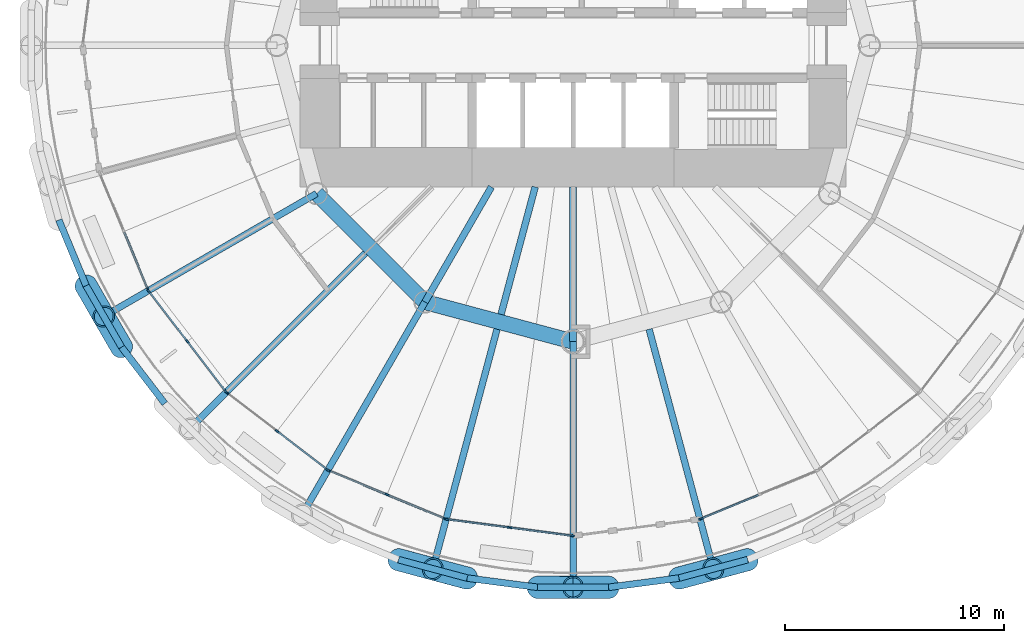
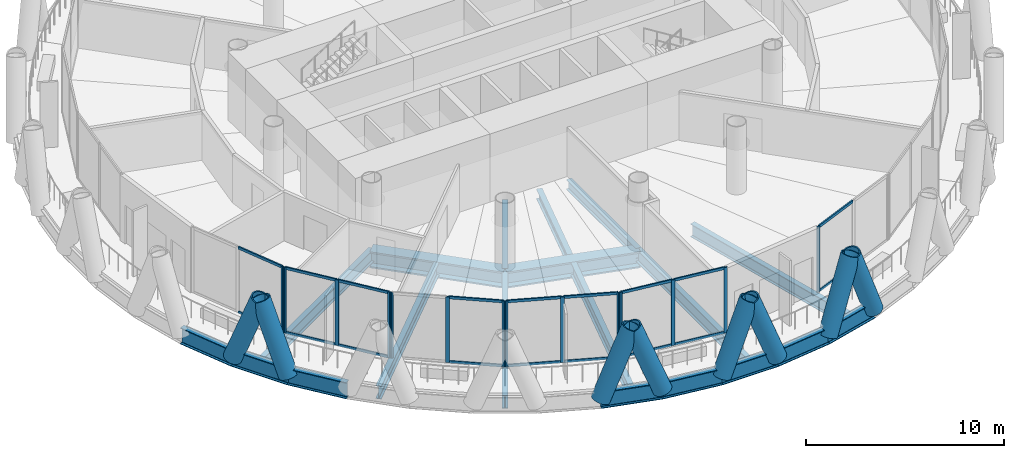
# One storey, part 2 of 15: 40 members, 19 beams, 6 elements without a shape of their own.
"""IFC4 building model written with IfcOpenShell, lengths in metres."""

from ifc_helpers import new_model, si_unit, direction, frame, origin, origin_2d, place, context, subcontext, project, spatial, rectangle, hollow_circle, i_section, extrude, material, material_profile, profile_set, type_object, element, aggregate, save


model = new_model("IFC4")

# Units and contexts
model_context = context("Model", 3, precision=1e-05, world=origin(), true_north=direction((0.0, 1.0)))
body_context = subcontext(model_context, "Body", "Model", "MODEL_VIEW")
ifc_project = project(units=[si_unit("LENGTHUNIT", "METRE"), si_unit("AREAUNIT", "SQUARE_METRE"), si_unit("VOLUMEUNIT", "CUBIC_METRE"), si_unit("PLANEANGLEUNIT", "RADIAN"), si_unit("MASSUNIT", "GRAM", prefix="KILO")], contexts=[model_context])

# Site, building, storey
site_placement = place(None, origin())
site = spatial("IfcSite", under=ifc_project, at=site_placement, CompositionType="ELEMENT")
building_placement = place(site_placement, origin())
building = spatial("IfcBuilding", under=site, at=building_placement, Name="Qaws Media Tower", CompositionType="ELEMENT")
storey_placement = place(building_placement, frame((0.0, 0.0, 156.199951171875)))
storey = spatial("IfcBuildingStorey", under=building, at=storey_placement, Name="L35", CompositionType="ELEMENT", Elevation=156.199951171875)

# Curtain wall, member
ifc_material_1 = material(Name="Aluminium and clear glass", Category="aluminium")
curtain_wall_type = type_object("IfcCurtainWallType", Name="Unitised curtain wall CW-B", PredefinedType="NOTDEFINED", material=ifc_material_1)
curtain_wall_1_placement = place(storey_placement, origin())
curtain_wall_1 = element("IfcCurtainWall", 1, at=curtain_wall_1_placement, inside=storey, type_object=curtain_wall_type, Name="CWB curtain wall L35-14", PredefinedType="NOTDEFINED")
ifc_material_2 = material(Name="Aluminium mullion", Category="aluminium")
ifc_material_profile_1 = material_profile(ifc_material_2, rectangle(XDim=0.080078125, YDim=0.199951171875, at=origin_2d()), Name="80x200")
ifc_profile_set_1 = profile_set([ifc_material_profile_1], Name="Aluminium mullion")
member_type_1 = type_object("IfcMemberType", Name="Curtain wall mullion 80x200", PredefinedType="MULLION", material=ifc_profile_set_1)
member_1_placement = place(storey_placement, frame((40.62890625, 38.862060546875, 0.0), z_axis=(0.0, 0.0, 1.0), x_axis=(0.923879550772, 0.38268338828, 0.0)))
member_1 = element("IfcMember", 2, at=member_1_placement, type_object=member_type_1, Name="CWB mullion 3", PredefinedType="MULLION", context=body_context, shape_type="SweptSolid", body=[
    extrude(rectangle(XDim=0.080078125, YDim=0.199951171875, at=origin_2d()), origin(), (0.0, 0.0, 1.0), 4.0400390625),
])

# Curtain wall, members
curtain_wall_2_placement = place(storey_placement, origin())
curtain_wall_2 = element("IfcCurtainWall", 3, at=curtain_wall_2_placement, inside=storey, type_object=curtain_wall_type, Name="CWB curtain wall L35-15", PredefinedType="NOTDEFINED")
member_2_placement = place(storey_placement, frame((40.668701171875, 38.793212890625, 0.0), z_axis=(0.0, 0.0, 1.0), x_axis=(0.793353386074, 0.608761369344, 0.0)))
member_2 = element("IfcMember", 4, at=member_2_placement, type_object=member_type_1, Name="CWB mullion 1", PredefinedType="MULLION", context=body_context, shape_type="SweptSolid", body=[
    extrude(rectangle(XDim=0.080078125, YDim=0.199951171875, at=origin_2d()), origin(), (0.0, 0.0, 1.0), 4.0400390625),
])
member_3_placement = place(storey_placement, frame((42.420166015625, 36.510498046875, 0.0), z_axis=(0.0, 0.0, 1.0), x_axis=(0.793353386074, 0.608761369344, 0.0)))
member_3 = element("IfcMember", 5, at=member_3_placement, type_object=member_type_1, Name="CWB mullion 2", PredefinedType="MULLION", context=body_context, shape_type="SweptSolid", body=[
    extrude(rectangle(XDim=0.080078125, YDim=0.199951171875, at=origin_2d()), origin(), (0.0, 0.0, 1.0), 4.0400390625),
])
member_4_placement = place(storey_placement, frame((44.171875, 34.227783203125, 0.0), z_axis=(0.0, 0.0, 1.0), x_axis=(0.793353386074, 0.608761369344, 0.0)))
member_4 = element("IfcMember", 6, at=member_4_placement, type_object=member_type_1, Name="CWB mullion 3", PredefinedType="MULLION", context=body_context, shape_type="SweptSolid", body=[
    extrude(rectangle(XDim=0.080078125, YDim=0.199951171875, at=origin_2d()), origin(), (0.0, 0.0, 1.0), 4.0400390625),
])

curtain_wall_3_placement = place(storey_placement, origin())
curtain_wall_3 = element("IfcCurtainWall", 7, at=curtain_wall_3_placement, inside=storey, type_object=curtain_wall_type, Name="CWB curtain wall L35-16", PredefinedType="NOTDEFINED")
member_5_placement = place(storey_placement, frame((44.227783203125, 34.171875, 0.0), z_axis=(0.0, 0.0, 1.0), x_axis=(0.608761369344, 0.793353386074, 0.0)))
member_5 = element("IfcMember", 8, at=member_5_placement, type_object=member_type_1, Name="CWB mullion 1", PredefinedType="MULLION", context=body_context, shape_type="SweptSolid", body=[
    extrude(rectangle(XDim=0.080078125, YDim=0.199951171875, at=origin_2d()), origin(), (0.0, 0.0, 1.0), 4.0400390625),
])
member_6_placement = place(storey_placement, frame((46.510498046875, 32.420166015625, 0.0), z_axis=(0.0, 0.0, 1.0), x_axis=(0.608761369344, 0.793353386074, 0.0)))
member_6 = element("IfcMember", 9, at=member_6_placement, type_object=member_type_1, Name="CWB mullion 2", PredefinedType="MULLION", context=body_context, shape_type="SweptSolid", body=[
    extrude(rectangle(XDim=0.080078125, YDim=0.199951171875, at=origin_2d()), origin(), (0.0, 0.0, 1.0), 4.0400390625),
])
member_7_placement = place(storey_placement, frame((48.793212890625, 30.668701171875, 0.0), z_axis=(0.0, 0.0, 1.0), x_axis=(0.608761369344, 0.793353386074, 0.0)))
member_7 = element("IfcMember", 10, at=member_7_placement, type_object=member_type_1, Name="CWB mullion 3", PredefinedType="MULLION", context=body_context, shape_type="SweptSolid", body=[
    extrude(rectangle(XDim=0.080078125, YDim=0.199951171875, at=origin_2d()), origin(), (0.0, 0.0, 1.0), 4.0400390625),
])

curtain_wall_4_placement = place(storey_placement, origin())
curtain_wall_4 = element("IfcCurtainWall", 11, at=curtain_wall_4_placement, inside=storey, type_object=curtain_wall_type, Name="CWB curtain wall L35-17", PredefinedType="NOTDEFINED")
member_8_placement = place(storey_placement, frame((48.862060546875, 30.62890625, 0.0), z_axis=(0.0, 0.0, 1.0), x_axis=(0.38268338828, 0.923879550772, 0.0)))
member_8 = element("IfcMember", 12, at=member_8_placement, type_object=member_type_1, Name="CWB mullion 1", PredefinedType="MULLION", context=body_context, shape_type="SweptSolid", body=[
    extrude(rectangle(XDim=0.080078125, YDim=0.199951171875, at=origin_2d()), origin(), (0.0, 0.0, 1.0), 4.0400390625),
])
member_9_placement = place(storey_placement, frame((51.520263671875, 29.52783203125, 0.0), z_axis=(0.0, 0.0, 1.0), x_axis=(0.38268338828, 0.923879550772, 0.0)))
member_9 = element("IfcMember", 13, at=member_9_placement, type_object=member_type_1, Name="CWB mullion 2", PredefinedType="MULLION", context=body_context, shape_type="SweptSolid", body=[
    extrude(rectangle(XDim=0.080078125, YDim=0.199951171875, at=origin_2d()), origin(), (0.0, 0.0, 1.0), 4.0400390625),
])
member_10_placement = place(storey_placement, frame((54.178466796875, 28.4267578125, 0.0), z_axis=(0.0, 0.0, 1.0), x_axis=(0.38268338828, 0.923879550772, 0.0)))
member_10 = element("IfcMember", 14, at=member_10_placement, type_object=member_type_1, Name="CWB mullion 3", PredefinedType="MULLION", context=body_context, shape_type="SweptSolid", body=[
    extrude(rectangle(XDim=0.080078125, YDim=0.199951171875, at=origin_2d()), origin(), (0.0, 0.0, 1.0), 4.0400390625),
])

curtain_wall_5_placement = place(storey_placement, origin())
curtain_wall_5 = element("IfcCurtainWall", 15, at=curtain_wall_5_placement, inside=storey, type_object=curtain_wall_type, Name="CWB curtain wall L35-18", PredefinedType="NOTDEFINED")
member_11_placement = place(storey_placement, frame((54.255126953125, 28.40625, 0.0), z_axis=(0.0, 0.0, 1.0), x_axis=(0.130526221291, 0.991444857547, 0.0)))
member_11 = element("IfcMember", 16, at=member_11_placement, type_object=member_type_1, Name="CWB mullion 1", PredefinedType="MULLION", context=body_context, shape_type="SweptSolid", body=[
    extrude(rectangle(XDim=0.080078125, YDim=0.199951171875, at=origin_2d()), origin(), (0.0, 0.0, 1.0), 4.0400390625),
])
member_12_placement = place(storey_placement, frame((57.107666015625, 28.03076171875, 0.0), z_axis=(0.0, 0.0, 1.0), x_axis=(0.130526221291, 0.991444857547, 0.0)))
member_12 = element("IfcMember", 17, at=member_12_placement, type_object=member_type_1, Name="CWB mullion 2", PredefinedType="MULLION", context=body_context, shape_type="SweptSolid", body=[
    extrude(rectangle(XDim=0.080078125, YDim=0.199951171875, at=origin_2d()), origin(), (0.0, 0.0, 1.0), 4.0400390625),
])
member_13_placement = place(storey_placement, frame((59.96044921875, 27.6552734375, 0.0), z_axis=(0.0, 0.0, 1.0), x_axis=(0.130526221291, 0.991444857547, 0.0)))
member_13 = element("IfcMember", 18, at=member_13_placement, type_object=member_type_1, Name="CWB mullion 3", PredefinedType="MULLION", context=body_context, shape_type="SweptSolid", body=[
    extrude(rectangle(XDim=0.080078125, YDim=0.199951171875, at=origin_2d()), origin(), (0.0, 0.0, 1.0), 4.0400390625),
])

# Curtain wall, member
curtain_wall_6_placement = place(storey_placement, origin())
curtain_wall_6 = element("IfcCurtainWall", 19, at=curtain_wall_6_placement, inside=storey, type_object=curtain_wall_type, Name="CWB curtain wall L35-20", PredefinedType="NOTDEFINED")
member_14_placement = place(storey_placement, frame((65.821533203125, 28.4267578125, 0.0), z_axis=(0.0, 0.0, 1.0), x_axis=(-0.38268338828, 0.923879550772, 0.0)))
member_14 = element("IfcMember", 20, at=member_14_placement, type_object=member_type_1, Name="CWB mullion 1", PredefinedType="MULLION", context=body_context, shape_type="SweptSolid", body=[
    extrude(rectangle(XDim=0.080078125, YDim=0.199951171875, at=origin_2d()), origin(), (0.0, 0.0, 1.0), 4.0400390625),
])

# Member
ifc_material_3 = material(Name="Aluminium transom", Category="aluminium")
ifc_material_profile_2 = material_profile(ifc_material_3, rectangle(XDim=0.080078125, YDim=0.159912109375, at=origin_2d()), Name="80x160")
ifc_profile_set_2 = profile_set([ifc_material_profile_2], Name="Aluminium transom")
member_type_2 = type_object("IfcMemberType", Name="Curtain wall transom 80x160", PredefinedType="USERDEFINED", material=ifc_profile_set_2)
member_15_placement = place(storey_placement, frame((39.543212890625, 41.483154296875, 0.0400390625), z_axis=(0.382724364585, -0.923862576768, 0.0), x_axis=(0.923862576768, 0.382724364585, 0.0)))
member_15 = element("IfcMember", 21, at=member_15_placement, type_object=member_type_2, Name="CWB transom 2.1", ObjectType="TRANSOM", PredefinedType="USERDEFINED", context=body_context, shape_type="SweptSolid", body=[
    extrude(rectangle(XDim=0.080078125, YDim=0.159912109375, at=origin_2d()), origin(), (0.0, 0.0, 1.0), 2.797119140625),
])

member_16_placement = place(storey_placement, frame((39.543212890625, 41.483154296875, 4.0), z_axis=(0.382724364585, -0.923862576768, 0.0), x_axis=(0.923862576768, 0.382724364585, 0.0)))
member_16 = element("IfcMember", 22, at=member_16_placement, type_object=member_type_2, Name="CWB transom 2.2", ObjectType="TRANSOM", PredefinedType="USERDEFINED", context=body_context, shape_type="SweptSolid", body=[
    extrude(rectangle(XDim=0.080078125, YDim=0.159912109375, at=origin_2d()), origin(), (0.0, 0.0, 1.0), 2.797119140625),
])

aggregate(curtain_wall_1, [member_1, member_15, member_16])

member_17_placement = place(storey_placement, frame((40.693115234375, 38.761474609375, 0.0400390625), z_axis=(0.608761301523, -0.793353438114, 0.0), x_axis=(0.793353438114, 0.608761301523, 0.0)))
member_17 = element("IfcMember", 23, at=member_17_placement, type_object=member_type_2, Name="CWB transom 1.1", ObjectType="TRANSOM", PredefinedType="USERDEFINED", context=body_context, shape_type="SweptSolid", body=[
    extrude(rectangle(XDim=0.080078125, YDim=0.159912109375, at=origin_2d()), origin(), (0.0, 0.0, 1.0), 2.79736328125),
])

member_18_placement = place(storey_placement, frame((40.693115234375, 38.761474609375, 4.0), z_axis=(0.608761301523, -0.793353438114, 0.0), x_axis=(0.793353438114, 0.608761301523, 0.0)))
member_18 = element("IfcMember", 24, at=member_18_placement, type_object=member_type_2, Name="CWB transom 1.2", ObjectType="TRANSOM", PredefinedType="USERDEFINED", context=body_context, shape_type="SweptSolid", body=[
    extrude(rectangle(XDim=0.080078125, YDim=0.159912109375, at=origin_2d()), origin(), (0.0, 0.0, 1.0), 2.79736328125),
])

member_19_placement = place(storey_placement, frame((42.444580078125, 36.478759765625, 0.0400390625), z_axis=(0.608761301523, -0.793353438114, 0.0), x_axis=(0.793353438114, 0.608761301523, 0.0)))
member_19 = element("IfcMember", 25, at=member_19_placement, type_object=member_type_2, Name="CWB transom 2.1", ObjectType="TRANSOM", PredefinedType="USERDEFINED", context=body_context, shape_type="SweptSolid", body=[
    extrude(rectangle(XDim=0.080078125, YDim=0.159912109375, at=origin_2d()), origin(), (0.0, 0.0, 1.0), 2.79736328125),
])

member_20_placement = place(storey_placement, frame((42.444580078125, 36.478759765625, 4.0), z_axis=(0.608761301523, -0.793353438114, 0.0), x_axis=(0.793353438114, 0.608761301523, 0.0)))
member_20 = element("IfcMember", 26, at=member_20_placement, type_object=member_type_2, Name="CWB transom 2.2", ObjectType="TRANSOM", PredefinedType="USERDEFINED", context=body_context, shape_type="SweptSolid", body=[
    extrude(rectangle(XDim=0.080078125, YDim=0.159912109375, at=origin_2d()), origin(), (0.0, 0.0, 1.0), 2.79736328125),
])

aggregate(curtain_wall_2, [member_2, member_3, member_4, member_17, member_18, member_19, member_20])

member_21_placement = place(storey_placement, frame((46.542236328125, 32.39599609375, 0.0400390625), z_axis=(0.793353438114, -0.608761301523, 0.0), x_axis=(0.608761301523, 0.793353438114, 0.0)))
member_21 = element("IfcMember", 27, at=member_21_placement, type_object=member_type_2, Name="CWB transom 2.1", ObjectType="TRANSOM", PredefinedType="USERDEFINED", context=body_context, shape_type="SweptSolid", body=[
    extrude(rectangle(XDim=0.080078125, YDim=0.159912109375, at=origin_2d()), origin(), (0.0, 0.0, 1.0), 2.79736328125),
])

member_22_placement = place(storey_placement, frame((46.542236328125, 32.39599609375, 4.0), z_axis=(0.793353438114, -0.608761301523, 0.0), x_axis=(0.608761301523, 0.793353438114, 0.0)))
member_22 = element("IfcMember", 28, at=member_22_placement, type_object=member_type_2, Name="CWB transom 2.2", ObjectType="TRANSOM", PredefinedType="USERDEFINED", context=body_context, shape_type="SweptSolid", body=[
    extrude(rectangle(XDim=0.080078125, YDim=0.159912109375, at=origin_2d()), origin(), (0.0, 0.0, 1.0), 2.79736328125),
])

aggregate(curtain_wall_3, [member_5, member_6, member_7, member_21, member_22])

member_23_placement = place(storey_placement, frame((48.89892578125, 30.61376953125, 0.0400390625), z_axis=(0.923862576768, -0.382724364585, 0.0), x_axis=(0.382724364585, 0.923862576768, 0.0)))
member_23 = element("IfcMember", 29, at=member_23_placement, type_object=member_type_2, Name="CWB transom 1.1", ObjectType="TRANSOM", PredefinedType="USERDEFINED", context=body_context, shape_type="SweptSolid", body=[
    extrude(rectangle(XDim=0.080078125, YDim=0.159912109375, at=origin_2d()), origin(), (0.0, 0.0, 1.0), 2.797119140625),
])

member_24_placement = place(storey_placement, frame((48.89892578125, 30.61376953125, 4.0), z_axis=(0.923862576768, -0.382724364585, 0.0), x_axis=(0.382724364585, 0.923862576768, 0.0)))
member_24 = element("IfcMember", 30, at=member_24_placement, type_object=member_type_2, Name="CWB transom 1.2", ObjectType="TRANSOM", PredefinedType="USERDEFINED", context=body_context, shape_type="SweptSolid", body=[
    extrude(rectangle(XDim=0.080078125, YDim=0.159912109375, at=origin_2d()), origin(), (0.0, 0.0, 1.0), 2.797119140625),
])

member_25_placement = place(storey_placement, frame((51.55712890625, 29.5126953125, 0.0400390625), z_axis=(0.923875359869, -0.382693505859, 0.0), x_axis=(0.382693505859, 0.923875359869, 0.0)))
member_25 = element("IfcMember", 31, at=member_25_placement, type_object=member_type_2, Name="CWB transom 2.1", ObjectType="TRANSOM", PredefinedType="USERDEFINED", context=body_context, shape_type="SweptSolid", body=[
    extrude(rectangle(XDim=0.080078125, YDim=0.159912109375, at=origin_2d()), origin(), (0.0, 0.0, 1.0), 2.79736328125),
])

member_26_placement = place(storey_placement, frame((51.55712890625, 29.5126953125, 4.0), z_axis=(0.923875359869, -0.382693505859, 0.0), x_axis=(0.382693505859, 0.923875359869, 0.0)))
member_26 = element("IfcMember", 32, at=member_26_placement, type_object=member_type_2, Name="CWB transom 2.2", ObjectType="TRANSOM", PredefinedType="USERDEFINED", context=body_context, shape_type="SweptSolid", body=[
    extrude(rectangle(XDim=0.080078125, YDim=0.159912109375, at=origin_2d()), origin(), (0.0, 0.0, 1.0), 2.79736328125),
])

aggregate(curtain_wall_4, [member_8, member_9, member_10, member_23, member_24, member_25, member_26])

member_27_placement = place(storey_placement, frame((54.294677734375, 28.401123046875, 0.0400390625), z_axis=(0.991440030998, -0.130562877322, 0.0), x_axis=(0.130562877322, 0.991440030998, 0.0)))
member_27 = element("IfcMember", 33, at=member_27_placement, type_object=member_type_2, Name="CWB transom 1.1", ObjectType="TRANSOM", PredefinedType="USERDEFINED", context=body_context, shape_type="SweptSolid", body=[
    extrude(rectangle(XDim=0.080078125, YDim=0.159912109375, at=origin_2d()), origin(), (0.0, 0.0, 1.0), 2.79736328125),
])

member_28_placement = place(storey_placement, frame((54.294677734375, 28.401123046875, 4.0), z_axis=(0.991440030998, -0.130562877322, 0.0), x_axis=(0.130562877322, 0.991440030998, 0.0)))
member_28 = element("IfcMember", 34, at=member_28_placement, type_object=member_type_2, Name="CWB transom 1.2", ObjectType="TRANSOM", PredefinedType="USERDEFINED", context=body_context, shape_type="SweptSolid", body=[
    extrude(rectangle(XDim=0.080078125, YDim=0.159912109375, at=origin_2d()), origin(), (0.0, 0.0, 1.0), 2.79736328125),
])

member_29_placement = place(storey_placement, frame((57.1474609375, 28.025634765625, 0.0400390625), z_axis=(0.991438543063, -0.130574175581, 0.0), x_axis=(0.130574175581, 0.991438543063, 0.0)))
member_29 = element("IfcMember", 35, at=member_29_placement, type_object=member_type_2, Name="CWB transom 2.1", ObjectType="TRANSOM", PredefinedType="USERDEFINED", context=body_context, shape_type="SweptSolid", body=[
    extrude(rectangle(XDim=0.080078125, YDim=0.159912109375, at=origin_2d()), origin(), (0.0, 0.0, 1.0), 2.797119140625),
])

member_30_placement = place(storey_placement, frame((57.1474609375, 28.025634765625, 4.0), z_axis=(0.991438543063, -0.130574175581, 0.0), x_axis=(0.130574175581, 0.991438543063, 0.0)))
member_30 = element("IfcMember", 36, at=member_30_placement, type_object=member_type_2, Name="CWB transom 2.2", ObjectType="TRANSOM", PredefinedType="USERDEFINED", context=body_context, shape_type="SweptSolid", body=[
    extrude(rectangle(XDim=0.080078125, YDim=0.159912109375, at=origin_2d()), origin(), (0.0, 0.0, 1.0), 2.797119140625),
])

aggregate(curtain_wall_5, [member_11, member_12, member_13, member_27, member_28, member_29, member_30])

member_31_placement = place(storey_placement, frame((65.8583984375, 28.442138671875, 0.0400390625), z_axis=(0.923875359869, 0.382693505859, 0.0), x_axis=(-0.382693505859, 0.923875359869, 0.0)))
member_31 = element("IfcMember", 37, at=member_31_placement, type_object=member_type_2, Name="CWB transom 1.1", ObjectType="TRANSOM", PredefinedType="USERDEFINED", context=body_context, shape_type="SweptSolid", body=[
    extrude(rectangle(XDim=0.080078125, YDim=0.159912109375, at=origin_2d()), origin(), (0.0, 0.0, 1.0), 2.79736328125),
])

member_32_placement = place(storey_placement, frame((65.8583984375, 28.442138671875, 4.0), z_axis=(0.923875359869, 0.382693505859, 0.0), x_axis=(-0.382693505859, 0.923875359869, 0.0)))
member_32 = element("IfcMember", 38, at=member_32_placement, type_object=member_type_2, Name="CWB transom 1.2", ObjectType="TRANSOM", PredefinedType="USERDEFINED", context=body_context, shape_type="SweptSolid", body=[
    extrude(rectangle(XDim=0.080078125, YDim=0.159912109375, at=origin_2d()), origin(), (0.0, 0.0, 1.0), 2.79736328125),
])

aggregate(curtain_wall_6, [member_14, member_31, member_32])

# Members
ifc_material_4 = material(Name="Steel S460", Category="steel")
ifc_material_profile_3 = material_profile(ifc_material_4, hollow_circle(Radius=0.508056640625, WallThickness=0.070068359375, at=origin_2d()), Name="CHS 1016x70")
ifc_profile_set_3 = profile_set([ifc_material_profile_3], Name="Steel S460")
member_type_3 = type_object("IfcMemberType", Name="Diagrid member CHS 1016x70", PredefinedType="USERDEFINED", material=ifc_profile_set_3)
member_33_placement = place(storey_placement, frame((37.802490234375, 39.053466796875, -0.6640625), z_axis=(0.179199044088, -0.311808506192, 0.933093327628), x_axis=(0.867015441762, 0.498281269713, 0.0)))
element("IfcMember", 39, at=member_33_placement, inside=storey, type_object=member_type_3, Name="DG3 diagrid L35 A14", ObjectType="DIAGRID", PredefinedType="USERDEFINED", context=body_context, shape_type="SweptSolid", body=[
    extrude(hollow_circle(Radius=0.508056640625, WallThickness=0.070068359375, at=origin_2d()), origin(), (0.0, 0.0, 1.0), 4.50146484375),
])
for number, where, z_axis, x_axis, name in (
    (40, (39.421142578125, 36.249755859375, -0.6640625), (-0.180396215789, 0.311056012492, 0.933113799288), (-0.865050827672, -0.501684228917, 0.0), "DG3 diagrid L35 B15"),
    (41, (52.04443359375, 26.5634765625, -0.6640625), (0.347175437247, -0.093722723881, 0.933105174565), (0.260627895981, 0.965439329962, 0.0), "DG3 diagrid L35 A17"),
    (42, (58.38134765625, 25.302978515625, -0.6640625), (0.359596788515, -0.000650853916, 0.933107564045), (0.001809951786, 0.999998362036, 0.0), "DG3 diagrid L35 A18"),
):
    element("IfcMember", number, at=place(storey_placement, frame(where, z_axis=z_axis, x_axis=x_axis)), inside=storey, type_object=member_type_3, Name=name, ObjectType="DIAGRID", PredefinedType="USERDEFINED", context=body_context, shape_type="SweptSolid", body=[
        extrude(hollow_circle(Radius=0.508056640625, WallThickness=0.070068359375, at=origin_2d()), origin(), (0.0, 0.0, 1.0), 4.501220703125),
    ])
for number, where, z_axis, x_axis, name in (
    (43, (55.171630859375, 25.7255859375, -0.6640625), (-0.347551371871, 0.092420027726, 0.933095162556), (-0.256986741386, -0.966414928875, 0.0), "DG3 diagrid L35 B18"),
    (44, (64.828369140625, 25.7255859375, -0.6640625), (0.347551371871, 0.092420027726, 0.933095162556), (-0.256986741386, 0.966414928875, 0.0), "DG3 diagrid L35 A19"),
):
    element("IfcMember", number, at=place(storey_placement, frame(where, z_axis=z_axis, x_axis=x_axis)), inside=storey, type_object=member_type_3, Name=name, ObjectType="DIAGRID", PredefinedType="USERDEFINED", context=body_context, shape_type="SweptSolid", body=[
        extrude(hollow_circle(Radius=0.508056640625, WallThickness=0.070068359375, at=origin_2d()), origin(), (0.0, 0.0, 1.0), 4.50146484375),
    ])
for number, where, z_axis, x_axis, name in (
    (45, (61.61865234375, 25.302978515625, -0.6640625), (-0.359596788515, -0.000650853916, 0.933107564045), (0.001809951786, -0.999998362036, 0.0), "DG3 diagrid L35 B19"),
    (46, (67.95556640625, 26.5634765625, -0.6640625), (-0.347175437247, -0.093722723881, 0.933105174565), (0.260627895981, -0.965439329962, 0.0), "DG3 diagrid L35 B20"),
):
    element("IfcMember", number, at=place(storey_placement, frame(where, z_axis=z_axis, x_axis=x_axis)), inside=storey, type_object=member_type_3, Name=name, ObjectType="DIAGRID", PredefinedType="USERDEFINED", context=body_context, shape_type="SweptSolid", body=[
        extrude(hollow_circle(Radius=0.508056640625, WallThickness=0.070068359375, at=origin_2d()), origin(), (0.0, 0.0, 1.0), 4.501220703125),
    ])

# Beams
ifc_material_5 = material(Name="Steel S460", Category="steel")
ifc_material_profile_4 = material_profile(ifc_material_5, i_section(OverallWidth=0.302001953125, OverallDepth=1.008056640625, WebThickness=0.02099609375, FlangeThickness=0.0400390625, FilletRadius=0.030029296875, at=origin_2d()), Name="HE 1000 M")
ifc_profile_set_4 = profile_set([ifc_material_profile_4], Name="Steel S460")
beam_type_1 = type_object("IfcBeamType", Name="Edge ring beam HE 1000 M", PredefinedType="BEAM", material=ifc_profile_set_4)
beam_1_placement = place(storey_placement, frame((36.5634765625, 42.04443359375, -0.6640625), z_axis=(0.382713662324, -0.923867010273, 0.0), x_axis=(0.923867010273, 0.382713662324, 0.0)))
element("IfcBeam", 47, at=beam_1_placement, inside=storey, type_object=beam_type_1, Name="RB3 edge ring beam L35-27", PredefinedType="BEAM", context=body_context, shape_type="SweptSolid", body=[
    extrude(i_section(OverallWidth=0.302001953125, OverallDepth=1.008056640625, WebThickness=0.02099609375, FlangeThickness=0.0400390625, FilletRadius=0.030029296875, at=origin_2d()), origin(), (0.0, 0.0, 1.0), 3.237548828125),
])
beam_2_placement = place(storey_placement, frame((37.802490234375, 39.053466796875, -0.6640625), z_axis=(0.499983569942, -0.866034889475, 0.0), x_axis=(0.866034889475, 0.499983569942, 0.0)))
element("IfcBeam", 48, at=beam_2_placement, inside=storey, type_object=beam_type_1, Name="RB3 edge ring beam L35-28", PredefinedType="BEAM", context=body_context, shape_type="SweptSolid", body=[
    extrude(i_section(OverallWidth=0.302001953125, OverallDepth=1.008056640625, WebThickness=0.02099609375, FlangeThickness=0.0400390625, FilletRadius=0.030029296875, at=origin_2d()), origin(), (0.0, 0.0, 1.0), 3.2373046875),
])
for number, where, z_axis, x_axis, name in (
    (49, (39.421142578125, 36.249755859375, -0.6640625), (0.608711721648, -0.793391479616, 0.0), (0.793391479616, 0.608711721648, 0.0), "RB3 edge ring beam L35-29"),
    (50, (52.04443359375, 26.5634765625, -0.6640625), (0.965928865363, -0.258807702859, 0.0), (0.258807702859, 0.965928865363, 0.0), "RB3 edge ring beam L35-34"),
):
    element("IfcBeam", number, at=place(storey_placement, frame(where, z_axis=z_axis, x_axis=x_axis)), inside=storey, type_object=beam_type_1, Name=name, PredefinedType="BEAM", context=body_context, shape_type="SweptSolid", body=[
        extrude(i_section(OverallWidth=0.302001953125, OverallDepth=1.008056640625, WebThickness=0.02099609375, FlangeThickness=0.0400390625, FilletRadius=0.030029296875, at=origin_2d()), origin(), (0.0, 0.0, 1.0), 3.237548828125),
    ])
for number, where, z_axis, x_axis, name in (
    (51, (55.171630859375, 25.7255859375, -0.6640625), (0.991443254821, -0.130538394622, 0.0), (0.130538394622, 0.991443254821, 0.0), "RB3 edge ring beam L35-35"),
    (52, (58.38134765625, 25.302978515625, -0.6640625), (1.0, 0.0, 0.0), (0.0, 1.0, 0.0), "RB3 edge ring beam L35-36"),
    (53, (61.61865234375, 25.302978515625, -0.6640625), (0.991443254821, 0.130538394622, 0.0), (-0.130538394622, 0.991443254821, 0.0), "RB3 edge ring beam L35-37"),
):
    element("IfcBeam", number, at=place(storey_placement, frame(where, z_axis=z_axis, x_axis=x_axis)), inside=storey, type_object=beam_type_1, Name=name, PredefinedType="BEAM", context=body_context, shape_type="SweptSolid", body=[
        extrude(i_section(OverallWidth=0.302001953125, OverallDepth=1.008056640625, WebThickness=0.02099609375, FlangeThickness=0.0400390625, FilletRadius=0.030029296875, at=origin_2d()), origin(), (0.0, 0.0, 1.0), 3.2373046875),
    ])
beam_3_placement = place(storey_placement, frame((64.828369140625, 25.7255859375, -0.6640625), z_axis=(0.965928865363, 0.258807702859, 0.0), x_axis=(-0.258807702859, 0.965928865363, 0.0)))
element("IfcBeam", 54, at=beam_3_placement, inside=storey, type_object=beam_type_1, Name="RB3 edge ring beam L35-38", PredefinedType="BEAM", context=body_context, shape_type="SweptSolid", body=[
    extrude(i_section(OverallWidth=0.302001953125, OverallDepth=1.008056640625, WebThickness=0.02099609375, FlangeThickness=0.0400390625, FilletRadius=0.030029296875, at=origin_2d()), origin(), (0.0, 0.0, 1.0), 3.237548828125),
])
ifc_material_6 = material(Name="Steel S460", Category="steel")
ifc_material_profile_5 = material_profile(ifc_material_6, i_section(OverallWidth=0.699951171875, OverallDepth=1.0, WebThickness=0.034912109375, FlangeThickness=0.090087890625, at=origin_2d()), Name="PG 1000x700")
ifc_profile_set_5 = profile_set([ifc_material_profile_5], Name="Steel S460")
beam_type_2 = type_object("IfcBeamType", Name="Inner ring girder PG 1000x700", PredefinedType="BEAM", material=ifc_profile_set_5)
beam_4_placement = place(storey_placement, frame((48.30859375, 43.25, -0.659912109375), z_axis=(0.707106781187, -0.707106781187, 0.0), x_axis=(0.707106781187, 0.707106781187, 0.0)))
element("IfcBeam", 55, at=beam_4_placement, inside=storey, type_object=beam_type_2, Name="B3 inner ring beam L35 I08-I09", PredefinedType="BEAM", context=body_context, shape_type="SweptSolid", body=[
    extrude(i_section(OverallWidth=0.699951171875, OverallDepth=1.0, WebThickness=0.034912109375, FlangeThickness=0.090087890625, at=origin_2d()), origin(), (0.0, 0.0, 1.0), 6.98828125),
])
beam_5_placement = place(storey_placement, frame((53.25, 38.30859375, -0.659912109375), z_axis=(0.965928090778, -0.258810593767, 0.0), x_axis=(0.258810593767, 0.965928090778, 0.0)))
element("IfcBeam", 56, at=beam_5_placement, inside=storey, type_object=beam_type_2, Name="B3 inner ring beam L35 I09-I10", PredefinedType="BEAM", context=body_context, shape_type="SweptSolid", body=[
    extrude(i_section(OverallWidth=0.699951171875, OverallDepth=1.0, WebThickness=0.034912109375, FlangeThickness=0.090087890625, at=origin_2d()), origin(), (0.0, 0.0, 1.0), 6.988037109375),
])
ifc_material_7 = material(Name="Steel S355", Category="steel")
ifc_material_profile_6 = material_profile(ifc_material_7, i_section(OverallWidth=0.304931640625, OverallDepth=0.6201171875, WebThickness=0.02099609375, FlangeThickness=0.0400390625, FilletRadius=0.027099609375, at=origin_2d()), Name="HE 600 M")
ifc_profile_set_6 = profile_set([ifc_material_profile_6], Name="Steel S355")
beam_type_3 = type_object("IfcBeamType", Name="Radial beam HE 600 M, core side", PredefinedType="BEAM", material=ifc_profile_set_6)
beam_6_placement = place(storey_placement, frame((56.276123046875, 43.550048828125, -0.469970703125), z_axis=(-0.499995978368, -0.866027725662, 0.0), x_axis=(0.866027725662, -0.499995978368, 0.0)))
element("IfcBeam", 57, at=beam_6_placement, inside=storey, type_object=beam_type_3, Name="B2 radial beam L35 17", PredefinedType="BEAM", context=body_context, shape_type="SweptSolid", body=[
    extrude(i_section(OverallWidth=0.304931640625, OverallDepth=0.6201171875, WebThickness=0.02099609375, FlangeThickness=0.0400390625, FilletRadius=0.027099609375, at=origin_2d()), origin(), (0.0, 0.0, 1.0), 6.05224609375),
])
beam_7_placement = place(storey_placement, frame((58.271728515625, 43.550048828125, -0.469970703125), z_axis=(-0.258819977482, -0.965925576458, 0.0), x_axis=(0.965925576458, -0.258819977482, 0.0)))
element("IfcBeam", 58, at=beam_7_placement, inside=storey, type_object=beam_type_3, Name="B2 radial beam L35 18", PredefinedType="BEAM", context=body_context, shape_type="SweptSolid", body=[
    extrude(i_section(OverallWidth=0.304931640625, OverallDepth=0.6201171875, WebThickness=0.02099609375, FlangeThickness=0.0400390625, FilletRadius=0.027099609375, at=origin_2d()), origin(), (0.0, 0.0, 1.0), 6.012451171875),
])
beam_8_placement = place(storey_placement, frame((60.0, 43.550048828125, -0.469970703125), z_axis=(0.0, -1.0, 0.0), x_axis=(1.0, 0.0, 0.0)))
element("IfcBeam", 59, at=beam_8_placement, inside=storey, type_object=beam_type_3, Name="B2 radial beam L35 19", PredefinedType="BEAM", context=body_context, shape_type="SweptSolid", body=[
    extrude(i_section(OverallWidth=0.304931640625, OverallDepth=0.6201171875, WebThickness=0.02099609375, FlangeThickness=0.0400390625, FilletRadius=0.027099609375, at=origin_2d()), origin(), (0.0, 0.0, 1.0), 7.050048828125),
])
ifc_material_8 = material(Name="Steel S355", Category="steel")
ifc_material_profile_7 = material_profile(ifc_material_8, i_section(OverallWidth=0.300048828125, OverallDepth=0.800048828125, WebThickness=0.017578125, FlangeThickness=0.032958984375, FilletRadius=0.030029296875, at=origin_2d()), Name="HE 800 B")
ifc_profile_set_7 = profile_set([ifc_material_profile_7], Name="Steel S355")
beam_type_4 = type_object("IfcBeamType", Name="Radial beam HE 800 B", PredefinedType="BEAM", material=ifc_profile_set_7)
beam_9_placement = place(storey_placement, frame((48.30859375, 43.25, -0.56005859375), z_axis=(-0.866027273133, -0.499996762179, 0.0), x_axis=(0.499996762179, -0.866027273133, 0.0)))
element("IfcBeam", 60, at=beam_9_placement, inside=storey, type_object=beam_type_4, Name="B1 radial beam L35 15", PredefinedType="BEAM", context=body_context, shape_type="SweptSolid", body=[
    extrude(i_section(OverallWidth=0.300048828125, OverallDepth=0.800048828125, WebThickness=0.017578125, FlangeThickness=0.032958984375, FilletRadius=0.030029296875, at=origin_2d()), origin(), (0.0, 0.0, 1.0), 11.19677734375),
])
beam_10_placement = place(storey_placement, frame((50.53173828125, 40.53173828125, -0.56005859375), z_axis=(-0.707106781187, -0.707106781187, 0.0), x_axis=(0.707106781187, -0.707106781187, 0.0)))
element("IfcBeam", 61, at=beam_10_placement, inside=storey, type_object=beam_type_4, Name="B1 radial beam L35 16", PredefinedType="BEAM", context=body_context, shape_type="SweptSolid", body=[
    extrude(i_section(OverallWidth=0.300048828125, OverallDepth=0.800048828125, WebThickness=0.017578125, FlangeThickness=0.032958984375, FilletRadius=0.030029296875, at=origin_2d()), origin(), (0.0, 0.0, 1.0), 11.306884765625),
])
beam_11_placement = place(storey_placement, frame((53.25, 38.30859375, -0.56005859375), z_axis=(-0.499996762179, -0.866027273133, 0.0), x_axis=(0.866027273133, -0.499996762179, 0.0)))
element("IfcBeam", 62, at=beam_11_placement, inside=storey, type_object=beam_type_4, Name="B1 radial beam L35 17", PredefinedType="BEAM", context=body_context, shape_type="SweptSolid", body=[
    extrude(i_section(OverallWidth=0.300048828125, OverallDepth=0.800048828125, WebThickness=0.017578125, FlangeThickness=0.032958984375, FilletRadius=0.030029296875, at=origin_2d()), origin(), (0.0, 0.0, 1.0), 11.19677734375),
])
beam_12_placement = place(storey_placement, frame((56.534423828125, 37.066162109375, -0.56005859375), z_axis=(-0.258824945313, -0.965924245313, 0.0), x_axis=(0.965924245313, -0.258824945313, 0.0)))
element("IfcBeam", 63, at=beam_12_placement, inside=storey, type_object=beam_type_4, Name="B1 radial beam L35 18", PredefinedType="BEAM", context=body_context, shape_type="SweptSolid", body=[
    extrude(i_section(OverallWidth=0.300048828125, OverallDepth=0.800048828125, WebThickness=0.017578125, FlangeThickness=0.032958984375, FilletRadius=0.030029296875, at=origin_2d()), origin(), (0.0, 0.0, 1.0), 11.306884765625),
])
beam_13_placement = place(storey_placement, frame((60.0, 36.5, -0.56005859375), z_axis=(0.0, -1.0, 0.0), x_axis=(1.0, 0.0, 0.0)))
element("IfcBeam", 64, at=beam_13_placement, inside=storey, type_object=beam_type_4, Name="B1 radial beam L35 19", PredefinedType="BEAM", context=body_context, shape_type="SweptSolid", body=[
    extrude(i_section(OverallWidth=0.300048828125, OverallDepth=0.800048828125, WebThickness=0.017578125, FlangeThickness=0.032958984375, FilletRadius=0.030029296875, at=origin_2d()), origin(), (0.0, 0.0, 1.0), 11.197021484375),
])
beam_14_placement = place(storey_placement, frame((63.465576171875, 37.066162109375, -0.56005859375), z_axis=(0.258824945313, -0.965924245313, 0.0), x_axis=(0.965924245313, 0.258824945313, 0.0)))
element("IfcBeam", 65, at=beam_14_placement, inside=storey, type_object=beam_type_4, Name="B1 radial beam L35 20", PredefinedType="BEAM", context=body_context, shape_type="SweptSolid", body=[
    extrude(i_section(OverallWidth=0.300048828125, OverallDepth=0.800048828125, WebThickness=0.017578125, FlangeThickness=0.032958984375, FilletRadius=0.030029296875, at=origin_2d()), origin(), (0.0, 0.0, 1.0), 11.306884765625),
])

save(model, "model.ifc")
